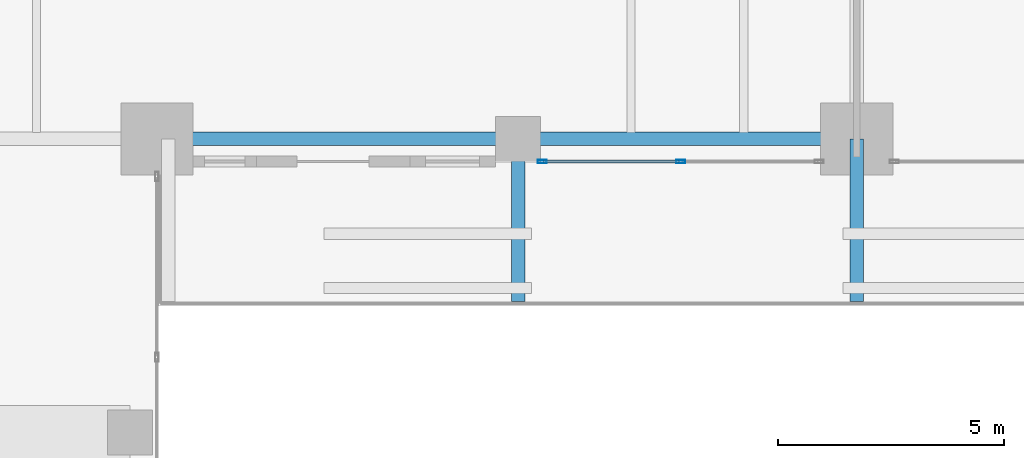
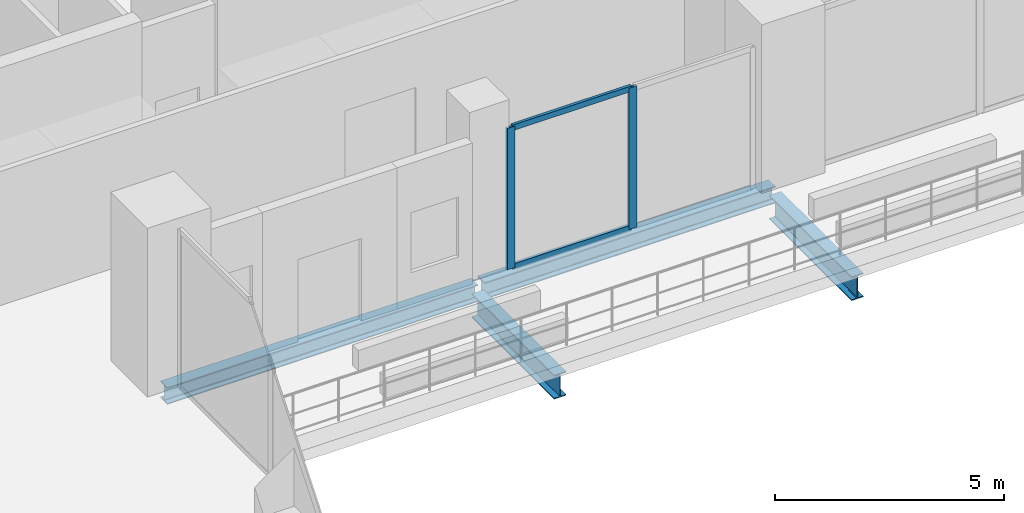
# One storey, part 10 of 24: 4 beams, 4 members, 1 element without a shape of its own.
"""IFC4 building model written with IfcOpenShell, lengths in metres."""

from ifc_helpers import new_model, si_unit, direction, frame, origin, origin_2d, place, context, subcontext, project, spatial, hollow_rectangle, i_section, extrude, material, layer, layer_set, material_profile, profile_set, type_object, element, aggregate, save


model = new_model("IFC4")

# Units and contexts
model_context = context("Model", 3, precision=1e-05, world=origin(), true_north=direction((0.0, 1.0)))
body_context = subcontext(model_context, "Body", "Model", "MODEL_VIEW")
ifc_project = project(units=[si_unit("LENGTHUNIT", "METRE"), si_unit("AREAUNIT", "SQUARE_METRE"), si_unit("VOLUMEUNIT", "CUBIC_METRE"), si_unit("PLANEANGLEUNIT", "RADIAN"), si_unit("MASSUNIT", "GRAM", prefix="KILO")], contexts=[model_context])

# Site, building, storey
site_placement = place(None, origin())
site = spatial("IfcSite", under=ifc_project, at=site_placement, CompositionType="ELEMENT")
building_placement = place(site_placement, origin())
building = spatial("IfcBuilding", under=site, at=building_placement, Name="Catumbela Crestline Tower", CompositionType="ELEMENT")
storey_placement = place(building_placement, frame((0.0, 0.0, 21.3)))
storey = spatial("IfcBuildingStorey", under=building, at=storey_placement, Name="L04", CompositionType="ELEMENT", Elevation=21.3)

# Beams
ifc_material_1 = material(Name="Structural steel S355J2", Category="steel")
ifc_material_profile_1 = material_profile(ifc_material_1, i_section(OverallWidth=0.3, OverallDepth=0.64, WebThickness=0.0135, FlangeThickness=0.026, FilletRadius=0.027, at=origin_2d()), Name="HEA 650")
ifc_profile_set_1 = profile_set([ifc_material_profile_1], Name="Structural steel S355J2")
beam_type_1 = type_object("IfcBeamType", Name="BG-HEA650", PredefinedType="BEAM", material=ifc_profile_set_1)
for number, where, z_axis, x_axis, name in (
    (1, (32.0, 24.5, -1.07), (0.0, -1.0, 0.0), (1.0, 0.0, 0.0), "L04 Terrace Cantilever Lookout Beam 2"),
    (2, (39.5, 24.5, -1.07), (0.0, -1.0, 0.0), (1.0, 0.0, 0.0), "L04 Terrace Cantilever Lookout Beam 3"),
):
    element("IfcBeam", number, at=place(storey_placement, frame(where, z_axis=z_axis, x_axis=x_axis)), inside=storey, type_object=beam_type_1, Name=name, PredefinedType="BEAM", context=body_context, shape_type="SweptSolid", body=[
        extrude(i_section(OverallWidth=0.3, OverallDepth=0.64, WebThickness=0.0135, FlangeThickness=0.026, FilletRadius=0.027, at=origin_2d()), origin(), (0.0, 0.0, 1.0), 3.6),
    ])

# Curtain wall, members
ifc_material_2 = material(Name="Aluminium alloy AW-6060-T66", Category="aluminium")
ifc_layer = layer(ifc_material_2, 0.18, Name="Aluminium alloy AW-6060-T66")
ifc_layer_set = layer_set([ifc_layer], Name="Aluminium alloy AW-6060-T66")
curtain_wall_type = type_object("IfcCurtainWallType", Name="CWS-POD", PredefinedType="USERDEFINED", material=ifc_layer_set)
curtain_wall_placement = place(storey_placement, origin())
curtain_wall = element("IfcCurtainWall", 3, at=curtain_wall_placement, inside=storey, type_object=curtain_wall_type, Name="L04 Stick Curtain Wall CW-L04-E3S3", ObjectType="STICK", PredefinedType="USERDEFINED")
ifc_material_profile_2 = material_profile(ifc_material_2, hollow_rectangle(XDim=0.075, YDim=0.2, WallThickness=0.005, at=origin_2d()), Name="ALU 200x75x5")
ifc_profile_set_2 = profile_set([ifc_material_profile_2], Name="Aluminium alloy AW-6060-T66")
member_type_1 = type_object("IfcMemberType", Name="MUL-200X75", PredefinedType="MULLION", material=ifc_profile_set_2)
member_1_placement = place(storey_placement, frame((32.5325, 24.0, 0.0), z_axis=(0.0, 0.0, 1.0), x_axis=(0.0, 1.0, 0.0)))
member_1 = element("IfcMember", 4, at=member_1_placement, type_object=member_type_1, Name="CWS-POD mullion 1", PredefinedType="MULLION", context=body_context, shape_type="SweptSolid", body=[
    extrude(hollow_rectangle(XDim=0.075, YDim=0.2, WallThickness=0.005, at=origin_2d()), origin(), (0.0, 0.0, 1.0), 3.77),
])
member_2_placement = place(storey_placement, frame((35.6, 24.0, 0.0), z_axis=(0.0, 0.0, 1.0), x_axis=(0.0, 1.0, 0.0)))
member_2 = element("IfcMember", 5, at=member_2_placement, type_object=member_type_1, Name="CWS-POD mullion 2", PredefinedType="MULLION", context=body_context, shape_type="SweptSolid", body=[
    extrude(hollow_rectangle(XDim=0.075, YDim=0.2, WallThickness=0.005, at=origin_2d()), origin(), (0.0, 0.0, 1.0), 3.77),
])

# Beams
ifc_material_profile_3 = material_profile(ifc_material_1, i_section(OverallWidth=0.3, OverallDepth=0.45, WebThickness=0.014, FlangeThickness=0.026, FilletRadius=0.027, at=origin_2d()), Name="HEB 450")
ifc_profile_set_3 = profile_set([ifc_material_profile_3], Name="Structural steel S355J2")
beam_type_2 = type_object("IfcBeamType", Name="BS-HEB450", PredefinedType="SPANDREL", material=ifc_profile_set_3)
beam_1_placement = place(storey_placement, frame((24.08, 24.5, -0.675), z_axis=(1.0, 0.0, 0.0), x_axis=(0.0, 1.0, 0.0)))
element("IfcBeam", 6, at=beam_1_placement, inside=storey, type_object=beam_type_2, Name="L04 Spandrel SP-L04-S05", PredefinedType="SPANDREL", context=body_context, shape_type="SweptSolid", body=[
    extrude(i_section(OverallWidth=0.3, OverallDepth=0.45, WebThickness=0.014, FlangeThickness=0.026, FilletRadius=0.027, at=origin_2d()), origin(), (0.0, 0.0, 1.0), 7.84),
])
beam_2_placement = place(storey_placement, frame((32.08, 24.5, -0.675), z_axis=(1.0, 0.0, 0.0), x_axis=(0.0, 1.0, 0.0)))
element("IfcBeam", 7, at=beam_2_placement, inside=storey, type_object=beam_type_2, Name="L04 Spandrel SP-L04-S06", PredefinedType="SPANDREL", context=body_context, shape_type="SweptSolid", body=[
    extrude(i_section(OverallWidth=0.3, OverallDepth=0.45, WebThickness=0.014, FlangeThickness=0.026, FilletRadius=0.027, at=origin_2d()), origin(), (0.0, 0.0, 1.0), 7.34),
])

# Member
ifc_material_profile_4 = material_profile(ifc_material_2, hollow_rectangle(XDim=0.075, YDim=0.15, WallThickness=0.0045, at=origin_2d()), Name="ALU 150x75x4.5")
ifc_profile_set_4 = profile_set([ifc_material_profile_4], Name="Aluminium alloy AW-6060-T66")
member_type_2 = type_object("IfcMemberType", Name="TRN-150X75", PredefinedType="USERDEFINED", material=ifc_profile_set_4)
member_3_placement = place(storey_placement, frame((32.565, 24.0, 0.03), z_axis=(1.0, 0.0, 0.0), x_axis=(0.0, 1.0, 0.0)))
member_3 = element("IfcMember", 8, at=member_3_placement, type_object=member_type_2, Name="CWS-POD transom 1.1", ObjectType="TRANSOM", PredefinedType="USERDEFINED", context=body_context, shape_type="SweptSolid", body=[
    extrude(hollow_rectangle(XDim=0.075, YDim=0.15, WallThickness=0.0045, at=origin_2d()), origin(), (0.0, 0.0, 1.0), 3.0025),
])

member_4_placement = place(storey_placement, frame((32.565, 24.0, 3.74), z_axis=(1.0, 0.0, 0.0), x_axis=(0.0, 1.0, 0.0)))
member_4 = element("IfcMember", 9, at=member_4_placement, type_object=member_type_2, Name="CWS-POD transom 1.2", ObjectType="TRANSOM", PredefinedType="USERDEFINED", context=body_context, shape_type="SweptSolid", body=[
    extrude(hollow_rectangle(XDim=0.075, YDim=0.15, WallThickness=0.0045, at=origin_2d()), origin(), (0.0, 0.0, 1.0), 3.0025),
])

aggregate(curtain_wall, [member_1, member_2, member_3, member_4])

save(model, "model.ifc")
